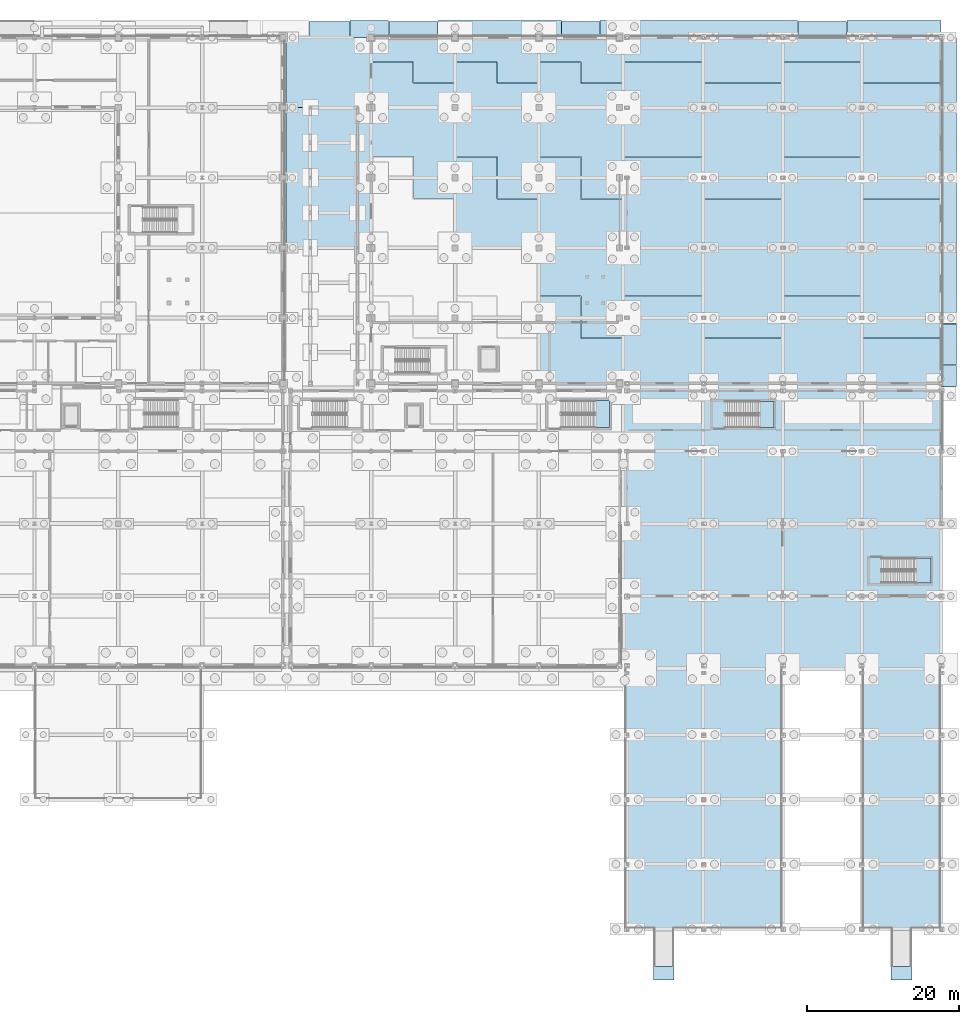
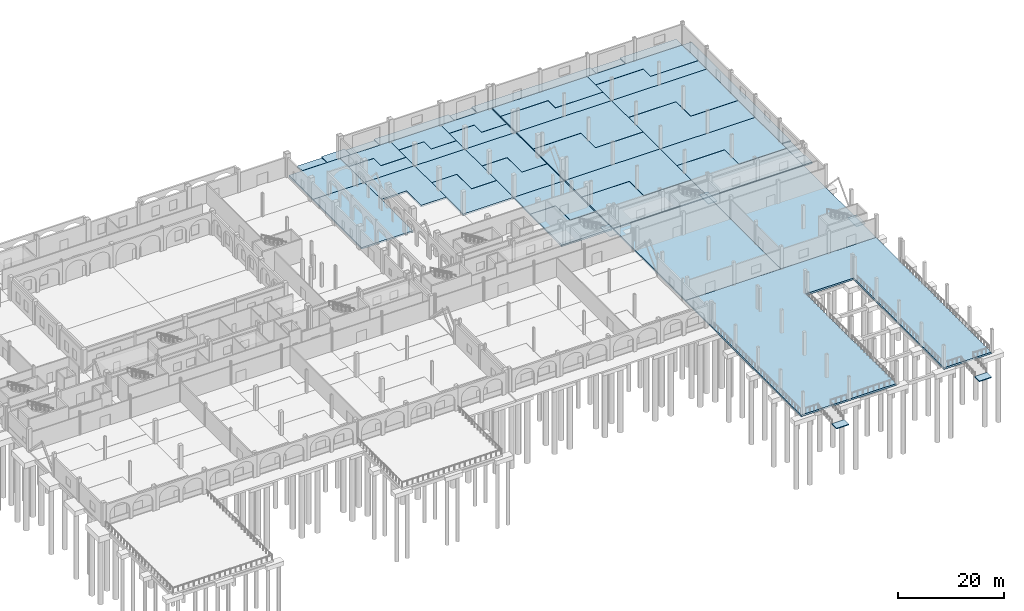
# One storey, part 38 of 83: 46 slabs, 3 elements without a shape of their own.
"""IFC4 building model written with IfcOpenShell, lengths in metres."""

from ifc_helpers import new_model, si_unit, direction, frame, origin, place, context, subcontext, project, spatial, polyline, outline, extrude, material, layer, layer_set, type_object, element, aggregate, save


model = new_model("IFC4")

# Units and contexts
model_context = context("Model", 3, precision=1e-05, world=origin(), true_north=direction((0.0, 1.0)))
body_context = subcontext(model_context, "Body", "Model", "MODEL_VIEW")
ifc_project = project(units=[si_unit("LENGTHUNIT", "METRE"), si_unit("AREAUNIT", "SQUARE_METRE"), si_unit("VOLUMEUNIT", "CUBIC_METRE"), si_unit("PLANEANGLEUNIT", "RADIAN"), si_unit("MASSUNIT", "GRAM", prefix="KILO")], contexts=[model_context])

# Site, building, storey
site_placement = place(None, origin())
site = spatial("IfcSite", under=ifc_project, at=site_placement, CompositionType="ELEMENT")
building_placement = place(site_placement, origin())
building = spatial("IfcBuilding", under=site, at=building_placement, Name="Caurita Quay Ferry Terminal", CompositionType="ELEMENT")
storey_placement = place(building_placement, origin())
storey = spatial("IfcBuildingStorey", under=building, at=storey_placement, Name="L00", CompositionType="ELEMENT", Elevation=0.0)

# Stair, slab
ifc_material_1 = material(Name="Reinforced concrete C35/45", Category="concrete")
stair_type_1 = type_object("IfcStairType", Name="STR-DL-10", PredefinedType="HALF_TURN_STAIR", material=ifc_material_1)
stair_1_placement = place(storey_placement, origin())
stair_1 = element("IfcStair", 1, at=stair_1_placement, inside=storey, type_object=stair_type_1, Name="L00 Protected Exit Stair ST-09", PredefinedType="HALF_TURN_STAIR")
ifc_layer_1 = layer(ifc_material_1, 0.199951171875, Name="Reinforced concrete landing slab 200 mm")
ifc_layer_set_1 = layer_set([ifc_layer_1], Name="Reinforced concrete C35/45")
slab_type_1 = type_object("IfcSlabType", Name="SLB-LND-200", PredefinedType="LANDING", material=ifc_layer_set_1)
slab_1_placement = place(storey_placement, frame((0.0, 0.0, 2.5)))
slab_1 = element("IfcSlab", 2, at=slab_1_placement, type_object=slab_type_1, Name="ST-09 landing 1", PredefinedType="LANDING", context=body_context, shape_type="SweptSolid", body=[
    extrude(outline(polyline([(128.60009765625, 65.800048828125), (130.449951171875, 65.800048828125), (130.449951171875, 69.360107421875), (128.60009765625, 69.360107421875), (128.60009765625, 65.800048828125)])), origin(), (0.0, 0.0, 1.0), 0.199951171875),
])
aggregate(stair_1, [slab_1])

stair_type_2 = type_object("IfcStairType", Name="STR-DL-01", PredefinedType="HALF_TURN_STAIR", material=ifc_material_1)
stair_2_placement = place(storey_placement, origin())
stair_2 = element("IfcStair", 3, at=stair_2_placement, inside=storey, type_object=stair_type_2, Name="L00 Protected Exit Stair ST-10", PredefinedType="HALF_TURN_STAIR")
slab_2_placement = place(storey_placement, frame((0.0, 0.0, 2.5)))
slab_2 = element("IfcSlab", 4, at=slab_2_placement, type_object=slab_type_1, Name="ST-10 landing 1", PredefinedType="LANDING", context=body_context, shape_type="SweptSolid", body=[
    extrude(outline(polyline([(150.14990234375, 65.800048828125), (152.050048828125, 65.800048828125), (152.050048828125, 69.260009765625), (150.14990234375, 69.260009765625), (150.14990234375, 65.800048828125)])), origin(), (0.0, 0.0, 1.0), 0.199951171875),
])
aggregate(stair_2, [slab_2])

stair_type_3 = type_object("IfcStairType", Name="STR-DL-12", PredefinedType="HALF_TURN_STAIR", material=ifc_material_1)
stair_3_placement = place(storey_placement, origin())
stair_3 = element("IfcStair", 5, at=stair_3_placement, inside=storey, type_object=stair_type_3, Name="L00 Protected Exit Stair ST-11", PredefinedType="HALF_TURN_STAIR")
slab_3_placement = place(storey_placement, frame((0.0, 0.0, 2.5)))
slab_3 = element("IfcSlab", 6, at=slab_3_placement, type_object=slab_type_1, Name="ST-11 landing 1", PredefinedType="LANDING", context=body_context, shape_type="SweptSolid", body=[
    extrude(outline(polyline([(170.64990234375, 45.39990234375), (172.64990234375, 45.39990234375), (172.64990234375, 48.659912109375), (170.64990234375, 48.659912109375), (170.64990234375, 45.39990234375)])), origin(), (0.0, 0.0, 1.0), 0.199951171875),
])
aggregate(stair_3, [slab_3])

# Slabs
slab_4_placement = place(storey_placement, frame((0.0, 0.0, -0.550048828125)))
element("IfcSlab", 7, at=slab_4_placement, inside=storey, type_object=slab_type_1, Name="Berth 1 Accessible Boarding Gangway Ramp Lower Threshold Landing", PredefinedType="LANDING", context=body_context, shape_type="SweptSolid", body=[
    extrude(outline(polyline([(136.25, -6.699951171875), (138.949951171875, -6.699951171875), (138.949951171875, -4.89990234375), (136.25, -4.89990234375), (136.25, -6.699951171875)])), origin(), (0.0, 0.0, 1.0), 0.199951171875),
])
slab_5_placement = place(storey_placement, frame((0.0, 0.0, -0.550048828125)))
element("IfcSlab", 8, at=slab_5_placement, inside=storey, type_object=slab_type_1, Name="Berth 2 Accessible Boarding Gangway Ramp Lower Threshold Landing", PredefinedType="LANDING", context=body_context, shape_type="SweptSolid", body=[
    extrude(outline(polyline([(167.449951171875, -6.699951171875), (170.14990234375, -6.699951171875), (170.14990234375, -4.89990234375), (167.449951171875, -4.89990234375), (167.449951171875, -6.699951171875)])), origin(), (0.0, 0.0, 1.0), 0.199951171875),
])
ifc_material_2 = material(Name="Marine reinforced concrete C40/50", Category="concrete")
ifc_layer_2 = layer(ifc_material_2, 0.340087890625, Name="Reinforced concrete baseslab slab 340 mm")
ifc_layer_set_2 = layer_set([ifc_layer_2], Name="Marine reinforced concrete C40/50")
slab_type_2 = type_object("IfcSlabType", Name="SLB-QUAY-340", PredefinedType="BASESLAB", material=ifc_layer_set_2)
slab_6_placement = place(storey_placement, frame((0.0, 0.0, -0.340087890625)))
element("IfcSlab", 9, at=slab_6_placement, inside=storey, type_object=slab_type_2, Name="L00 NTH-WLK4 Slab 01", PredefinedType="BASESLAB", context=body_context, shape_type="SweptSolid", body=[
    extrude(outline(polyline([(96.429931640625, 117.02001953125), (101.469970703125, 117.02001953125), (101.469970703125, 119.25), (96.429931640625, 119.25), (96.429931640625, 117.02001953125)])), origin(), (0.0, 0.0, 1.0), 0.340087890625),
])
slab_7_placement = place(storey_placement, frame((0.0, 0.0, -0.340087890625)))
element("IfcSlab", 10, at=slab_7_placement, inside=storey, type_object=slab_type_2, Name="L00 NTH-WLK5 Slab 01", PredefinedType="BASESLAB", context=body_context, shape_type="SweptSolid", body=[
    extrude(outline(polyline([(107.929931640625, 117.02001953125), (124.169921875, 117.02001953125), (124.169921875, 119.25), (107.929931640625, 119.25), (107.929931640625, 117.02001953125)])), origin(), (0.0, 0.0, 1.0), 0.340087890625),
])
slab_8_placement = place(storey_placement, frame((0.0, 0.0, -0.340087890625)))
element("IfcSlab", 11, at=slab_8_placement, inside=storey, type_object=slab_type_2, Name="L00 NTH-WLK6 Slab 01", PredefinedType="BASESLAB", context=body_context, shape_type="SweptSolid", body=[
    extrude(outline(polyline([(129.22998046875, 117.02001953125), (155.169921875, 117.02001953125), (155.169921875, 119.25), (129.22998046875, 119.25), (129.22998046875, 117.02001953125)])), origin(), (0.0, 0.0, 1.0), 0.340087890625),
])
slab_9_placement = place(storey_placement, frame((0.0, 0.0, -0.340087890625)))
element("IfcSlab", 12, at=slab_9_placement, inside=storey, type_object=slab_type_2, Name="L00 NTH-WLK7 Slab 01", PredefinedType="BASESLAB", context=body_context, shape_type="SweptSolid", body=[
    extrude(outline(polyline([(161.6298828125, 117.02001953125), (174.0, 117.02001953125), (174.0, 119.25), (161.6298828125, 119.25), (161.6298828125, 117.02001953125)])), origin(), (0.0, 0.0, 1.0), 0.340087890625),
])
slab_10_placement = place(storey_placement, frame((0.0, 0.0, -0.340087890625)))
element("IfcSlab", 13, at=slab_10_placement, inside=storey, type_object=slab_type_2, Name="L00 EST-WLK1 Slab 01", PredefinedType="BASESLAB", context=body_context, shape_type="SweptSolid", body=[
    extrude(outline(polyline([(174.0, 71.199951171875), (176.0, 71.199951171875), (176.0, 73.969970703125), (174.0, 73.969970703125), (174.0, 71.199951171875)])), origin(), (0.0, 0.0, 1.0), 0.340087890625),
])
slab_11_placement = place(storey_placement, frame((0.0, 0.0, -0.340087890625)))
element("IfcSlab", 14, at=slab_11_placement, inside=storey, type_object=slab_type_2, Name="L00 EST-WLK2 Slab 01", PredefinedType="BASESLAB", context=body_context, shape_type="SweptSolid", body=[
    extrude(outline(polyline([(174.0, 79.429931640625), (176.0, 79.429931640625), (176.0, 117.0), (174.0, 117.0), (174.0, 79.429931640625)])), origin(), (0.0, 0.0, 1.0), 0.340087890625),
])
ifc_layer_3 = layer(ifc_material_2, 0.39990234375, Name="Reinforced concrete baseslab slab 400 mm")
ifc_layer_set_3 = layer_set([ifc_layer_3], Name="Marine reinforced concrete C40/50")
slab_type_3 = type_object("IfcSlabType", Name="SLB-QUAY-400", PredefinedType="BASESLAB", material=ifc_layer_set_3)
slab_12_placement = place(storey_placement, frame((0.0, 0.0, -0.39990234375)))
element("IfcSlab", 15, at=slab_12_placement, inside=storey, type_object=slab_type_3, Name="L00 V3-BASE Slab 01", PredefinedType="BASESLAB", context=body_context, shape_type="SweptSolid", body=[
    extrude(outline(polyline([(132.39990234375, 43.699951171875), (153.199951171875, 43.699951171875), (153.199951171875, 71.0), (132.39990234375, 71.0), (132.39990234375, 43.699951171875)])), origin(), (0.0, 0.0, 1.0), 0.39990234375),
])
slab_13_placement = place(storey_placement, frame((0.0, 0.0, -0.39990234375)))
element("IfcSlab", 16, at=slab_13_placement, inside=storey, type_object=slab_type_3, Name="L00 V3-BASE Slab 02", PredefinedType="BASESLAB", context=body_context, shape_type="SweptSolid", body=[
    extrude(outline(polyline([(153.199951171875, 43.699951171875), (174.0, 43.699951171875), (174.0, 71.0), (153.199951171875, 71.0), (153.199951171875, 43.699951171875)])), origin(), (0.0, 0.0, 1.0), 0.39990234375),
])
slab_14_placement = place(storey_placement, frame((0.0, 0.0, -0.39990234375)))
element("IfcSlab", 17, at=slab_14_placement, inside=storey, type_object=slab_type_3, Name="Marine Berths 1 and 2 Quay Pier Deck", PredefinedType="BASESLAB", context=body_context, shape_type="SweptSolid", body=[
    extrude(outline(polyline([(132.39990234375, 0.0), (153.199951171875, 0.0), (153.199951171875, 34.199951171875), (163.60009765625, 34.199951171875), (163.60009765625, 0.0), (174.0, 0.0), (174.0, 43.679931640625), (132.39990234375, 43.679931640625), (132.39990234375, 0.0)])), origin(), (0.0, 0.0, 1.0), 0.39990234375),
])
slab_15_placement = place(storey_placement, frame((0.0, 0.0, -0.39990234375)))
element("IfcSlab", 18, at=slab_15_placement, inside=storey, type_object=slab_type_3, Name="L00 V4W-BASE Slab 02B", PredefinedType="BASESLAB", context=body_context, shape_type="SweptSolid", body=[
    extrude(outline(polyline([(104.715087890625, 95.85498046875), (110.199951171875, 95.85498046875), (110.199951171875, 107.800048828125), (99.199951171875, 107.800048828125), (99.199951171875, 101.375), (104.715087890625, 101.375), (104.715087890625, 95.85498046875)])), origin(), (0.0, 0.0, 1.0), 0.39990234375),
])
slab_16_placement = place(storey_placement, frame((0.0, 0.0, -0.39990234375)))
element("IfcSlab", 19, at=slab_16_placement, inside=storey, type_object=slab_type_3, Name="L00 V4W-BASE Slab 03A", PredefinedType="BASESLAB", context=body_context, shape_type="SweptSolid", body=[
    extrude(outline(polyline([(99.199951171875, 107.800048828125), (110.199951171875, 107.800048828125), (110.199951171875, 111.0048828125), (104.68505859375, 111.0048828125), (104.68505859375, 113.764892578125), (99.199951171875, 113.764892578125), (99.199951171875, 107.800048828125)])), origin(), (0.0, 0.0, 1.0), 0.39990234375),
])
slab_17_placement = place(storey_placement, frame((0.0, 0.0, -0.39990234375)))
element("IfcSlab", 20, at=slab_17_placement, inside=storey, type_object=slab_type_3, Name="L00 V4W-BASE Slab 03B", PredefinedType="BASESLAB", context=body_context, shape_type="SweptSolid", body=[
    extrude(outline(polyline([(104.715087890625, 111.034912109375), (110.199951171875, 111.034912109375), (110.199951171875, 117.0), (99.199951171875, 117.0), (99.199951171875, 113.794921875), (104.715087890625, 113.794921875), (104.715087890625, 111.034912109375)])), origin(), (0.0, 0.0, 1.0), 0.39990234375),
])
slab_18_placement = place(storey_placement, frame((0.0, 0.0, -0.39990234375)))
element("IfcSlab", 21, at=slab_18_placement, inside=storey, type_object=slab_type_3, Name="L00 V4W-BASE Slab 05A", PredefinedType="BASESLAB", context=body_context, shape_type="SweptSolid", body=[
    extrude(outline(polyline([(110.199951171875, 89.39990234375), (121.199951171875, 89.39990234375), (121.199951171875, 95.824951171875), (115.68505859375, 95.824951171875), (115.68505859375, 101.344970703125), (110.199951171875, 101.344970703125), (110.199951171875, 89.39990234375)])), origin(), (0.0, 0.0, 1.0), 0.39990234375),
])
slab_19_placement = place(storey_placement, frame((0.0, 0.0, -0.39990234375)))
element("IfcSlab", 22, at=slab_19_placement, inside=storey, type_object=slab_type_3, Name="L00 V4W-BASE Slab 05B", PredefinedType="BASESLAB", context=body_context, shape_type="SweptSolid", body=[
    extrude(outline(polyline([(115.715087890625, 95.85498046875), (121.199951171875, 95.85498046875), (121.199951171875, 107.800048828125), (110.199951171875, 107.800048828125), (110.199951171875, 101.375), (115.715087890625, 101.375), (115.715087890625, 95.85498046875)])), origin(), (0.0, 0.0, 1.0), 0.39990234375),
])
slab_20_placement = place(storey_placement, frame((0.0, 0.0, -0.39990234375)))
element("IfcSlab", 23, at=slab_20_placement, inside=storey, type_object=slab_type_3, Name="L00 V4W-BASE Slab 06A", PredefinedType="BASESLAB", context=body_context, shape_type="SweptSolid", body=[
    extrude(outline(polyline([(110.199951171875, 107.800048828125), (121.199951171875, 107.800048828125), (121.199951171875, 111.0048828125), (115.68505859375, 111.0048828125), (115.68505859375, 113.764892578125), (110.199951171875, 113.764892578125), (110.199951171875, 107.800048828125)])), origin(), (0.0, 0.0, 1.0), 0.39990234375),
])
slab_21_placement = place(storey_placement, frame((0.0, 0.0, -0.39990234375)))
element("IfcSlab", 24, at=slab_21_placement, inside=storey, type_object=slab_type_3, Name="L00 V4W-BASE Slab 06B", PredefinedType="BASESLAB", context=body_context, shape_type="SweptSolid", body=[
    extrude(outline(polyline([(115.715087890625, 111.034912109375), (121.199951171875, 111.034912109375), (121.199951171875, 117.0), (110.199951171875, 117.0), (110.199951171875, 113.794921875), (115.715087890625, 113.794921875), (115.715087890625, 111.034912109375)])), origin(), (0.0, 0.0, 1.0), 0.39990234375),
])
slab_22_placement = place(storey_placement, frame((0.0, 0.0, -0.39990234375)))
element("IfcSlab", 25, at=slab_22_placement, inside=storey, type_object=slab_type_3, Name="L00 V4W-BASE Slab 07A", PredefinedType="BASESLAB", context=body_context, shape_type="SweptSolid", body=[
    extrude(outline(polyline([(121.199951171875, 71.199951171875), (132.199951171875, 71.199951171875), (132.199951171875, 77.554931640625), (126.68505859375, 77.554931640625), (126.68505859375, 83.014892578125), (121.199951171875, 83.014892578125), (121.199951171875, 71.199951171875)])), origin(), (0.0, 0.0, 1.0), 0.39990234375),
])
slab_23_placement = place(storey_placement, frame((0.0, 0.0, -0.39990234375)))
element("IfcSlab", 26, at=slab_23_placement, inside=storey, type_object=slab_type_3, Name="L00 V4W-BASE Slab 07B", PredefinedType="BASESLAB", context=body_context, shape_type="SweptSolid", body=[
    extrude(outline(polyline([(126.715087890625, 77.5849609375), (132.199951171875, 77.5849609375), (132.199951171875, 89.39990234375), (121.199951171875, 89.39990234375), (121.199951171875, 83.044921875), (126.715087890625, 83.044921875), (126.715087890625, 77.5849609375)])), origin(), (0.0, 0.0, 1.0), 0.39990234375),
])
slab_24_placement = place(storey_placement, frame((0.0, 0.0, -0.39990234375)))
element("IfcSlab", 27, at=slab_24_placement, inside=storey, type_object=slab_type_3, Name="L00 V4W-BASE Slab 08A", PredefinedType="BASESLAB", context=body_context, shape_type="SweptSolid", body=[
    extrude(outline(polyline([(121.199951171875, 89.39990234375), (132.199951171875, 89.39990234375), (132.199951171875, 95.824951171875), (126.68505859375, 95.824951171875), (126.68505859375, 101.344970703125), (121.199951171875, 101.344970703125), (121.199951171875, 89.39990234375)])), origin(), (0.0, 0.0, 1.0), 0.39990234375),
])
slab_25_placement = place(storey_placement, frame((0.0, 0.0, -0.39990234375)))
element("IfcSlab", 28, at=slab_25_placement, inside=storey, type_object=slab_type_3, Name="L00 V4W-BASE Slab 08B", PredefinedType="BASESLAB", context=body_context, shape_type="SweptSolid", body=[
    extrude(outline(polyline([(126.715087890625, 95.85498046875), (132.199951171875, 95.85498046875), (132.199951171875, 107.800048828125), (121.199951171875, 107.800048828125), (121.199951171875, 101.375), (126.715087890625, 101.375), (126.715087890625, 95.85498046875)])), origin(), (0.0, 0.0, 1.0), 0.39990234375),
])
slab_26_placement = place(storey_placement, frame((0.0, 0.0, -0.39990234375)))
element("IfcSlab", 29, at=slab_26_placement, inside=storey, type_object=slab_type_3, Name="L00 V4W-BASE Slab 09A", PredefinedType="BASESLAB", context=body_context, shape_type="SweptSolid", body=[
    extrude(outline(polyline([(121.199951171875, 107.800048828125), (132.199951171875, 107.800048828125), (132.199951171875, 111.0048828125), (126.68505859375, 111.0048828125), (126.68505859375, 113.764892578125), (121.199951171875, 113.764892578125), (121.199951171875, 107.800048828125)])), origin(), (0.0, 0.0, 1.0), 0.39990234375),
])
slab_27_placement = place(storey_placement, frame((0.0, 0.0, -0.39990234375)))
element("IfcSlab", 30, at=slab_27_placement, inside=storey, type_object=slab_type_3, Name="L00 V4W-BASE Slab 09B", PredefinedType="BASESLAB", context=body_context, shape_type="SweptSolid", body=[
    extrude(outline(polyline([(126.715087890625, 111.034912109375), (132.199951171875, 111.034912109375), (132.199951171875, 117.0), (121.199951171875, 117.0), (121.199951171875, 113.794921875), (126.715087890625, 113.794921875), (126.715087890625, 111.034912109375)])), origin(), (0.0, 0.0, 1.0), 0.39990234375),
])
slab_28_placement = place(storey_placement, frame((0.0, 0.0, -0.39990234375)))
element("IfcSlab", 31, at=slab_28_placement, inside=storey, type_object=slab_type_3, Name="L00 V4E-BASE Slab 01A", PredefinedType="BASESLAB", context=body_context, shape_type="SweptSolid", body=[
    extrude(outline(polyline([(132.39990234375, 71.199951171875), (153.199951171875, 71.199951171875), (153.199951171875, 77.554931640625), (142.784912109375, 77.554931640625), (142.784912109375, 83.014892578125), (132.39990234375, 83.014892578125), (132.39990234375, 71.199951171875)])), origin(), (0.0, 0.0, 1.0), 0.39990234375),
])
slab_29_placement = place(storey_placement, frame((0.0, 0.0, -0.39990234375)))
element("IfcSlab", 32, at=slab_29_placement, inside=storey, type_object=slab_type_3, Name="L00 V4E-BASE Slab 01B", PredefinedType="BASESLAB", context=body_context, shape_type="SweptSolid", body=[
    extrude(outline(polyline([(142.81494140625, 77.5849609375), (153.199951171875, 77.5849609375), (153.199951171875, 89.39990234375), (132.39990234375, 89.39990234375), (132.39990234375, 83.044921875), (142.81494140625, 83.044921875), (142.81494140625, 77.5849609375)])), origin(), (0.0, 0.0, 1.0), 0.39990234375),
])
slab_30_placement = place(storey_placement, frame((0.0, 0.0, -0.39990234375)))
element("IfcSlab", 33, at=slab_30_placement, inside=storey, type_object=slab_type_3, Name="L00 V4E-BASE Slab 02A", PredefinedType="BASESLAB", context=body_context, shape_type="SweptSolid", body=[
    extrude(outline(polyline([(132.39990234375, 89.39990234375), (153.199951171875, 89.39990234375), (153.199951171875, 95.824951171875), (142.784912109375, 95.824951171875), (142.784912109375, 101.344970703125), (132.39990234375, 101.344970703125), (132.39990234375, 89.39990234375)])), origin(), (0.0, 0.0, 1.0), 0.39990234375),
])
slab_31_placement = place(storey_placement, frame((0.0, 0.0, -0.39990234375)))
element("IfcSlab", 34, at=slab_31_placement, inside=storey, type_object=slab_type_3, Name="L00 V4E-BASE Slab 02B", PredefinedType="BASESLAB", context=body_context, shape_type="SweptSolid", body=[
    extrude(outline(polyline([(142.81494140625, 95.85498046875), (153.199951171875, 95.85498046875), (153.199951171875, 107.800048828125), (132.39990234375, 107.800048828125), (132.39990234375, 101.375), (142.81494140625, 101.375), (142.81494140625, 95.85498046875)])), origin(), (0.0, 0.0, 1.0), 0.39990234375),
])
slab_32_placement = place(storey_placement, frame((0.0, 0.0, -0.39990234375)))
element("IfcSlab", 35, at=slab_32_placement, inside=storey, type_object=slab_type_3, Name="L00 V4E-BASE Slab 03A", PredefinedType="BASESLAB", context=body_context, shape_type="SweptSolid", body=[
    extrude(outline(polyline([(132.39990234375, 107.800048828125), (153.199951171875, 107.800048828125), (153.199951171875, 111.0048828125), (142.784912109375, 111.0048828125), (142.784912109375, 113.764892578125), (132.39990234375, 113.764892578125), (132.39990234375, 107.800048828125)])), origin(), (0.0, 0.0, 1.0), 0.39990234375),
])
slab_33_placement = place(storey_placement, frame((0.0, 0.0, -0.39990234375)))
element("IfcSlab", 36, at=slab_33_placement, inside=storey, type_object=slab_type_3, Name="L00 V4E-BASE Slab 03B", PredefinedType="BASESLAB", context=body_context, shape_type="SweptSolid", body=[
    extrude(outline(polyline([(142.81494140625, 111.034912109375), (153.199951171875, 111.034912109375), (153.199951171875, 117.0), (132.39990234375, 117.0), (132.39990234375, 113.794921875), (142.81494140625, 113.794921875), (142.81494140625, 111.034912109375)])), origin(), (0.0, 0.0, 1.0), 0.39990234375),
])
slab_34_placement = place(storey_placement, frame((0.0, 0.0, -0.39990234375)))
element("IfcSlab", 37, at=slab_34_placement, inside=storey, type_object=slab_type_3, Name="L00 V4E-BASE Slab 04A", PredefinedType="BASESLAB", context=body_context, shape_type="SweptSolid", body=[
    extrude(outline(polyline([(153.199951171875, 71.199951171875), (174.0, 71.199951171875), (174.0, 77.554931640625), (163.5849609375, 77.554931640625), (163.5849609375, 83.014892578125), (153.199951171875, 83.014892578125), (153.199951171875, 71.199951171875)])), origin(), (0.0, 0.0, 1.0), 0.39990234375),
])
slab_35_placement = place(storey_placement, frame((0.0, 0.0, -0.39990234375)))
element("IfcSlab", 38, at=slab_35_placement, inside=storey, type_object=slab_type_3, Name="L00 V4E-BASE Slab 04B", PredefinedType="BASESLAB", context=body_context, shape_type="SweptSolid", body=[
    extrude(outline(polyline([(163.614990234375, 77.5849609375), (174.0, 77.5849609375), (174.0, 89.39990234375), (153.199951171875, 89.39990234375), (153.199951171875, 83.044921875), (163.614990234375, 83.044921875), (163.614990234375, 77.5849609375)])), origin(), (0.0, 0.0, 1.0), 0.39990234375),
])
slab_36_placement = place(storey_placement, frame((0.0, 0.0, -0.39990234375)))
element("IfcSlab", 39, at=slab_36_placement, inside=storey, type_object=slab_type_3, Name="L00 V4E-BASE Slab 05A", PredefinedType="BASESLAB", context=body_context, shape_type="SweptSolid", body=[
    extrude(outline(polyline([(153.199951171875, 89.39990234375), (174.0, 89.39990234375), (174.0, 95.824951171875), (163.5849609375, 95.824951171875), (163.5849609375, 101.344970703125), (153.199951171875, 101.344970703125), (153.199951171875, 89.39990234375)])), origin(), (0.0, 0.0, 1.0), 0.39990234375),
])
slab_37_placement = place(storey_placement, frame((0.0, 0.0, -0.39990234375)))
element("IfcSlab", 40, at=slab_37_placement, inside=storey, type_object=slab_type_3, Name="L00 V4E-BASE Slab 05B", PredefinedType="BASESLAB", context=body_context, shape_type="SweptSolid", body=[
    extrude(outline(polyline([(163.614990234375, 95.85498046875), (174.0, 95.85498046875), (174.0, 107.800048828125), (153.199951171875, 107.800048828125), (153.199951171875, 101.375), (163.614990234375, 101.375), (163.614990234375, 95.85498046875)])), origin(), (0.0, 0.0, 1.0), 0.39990234375),
])
slab_38_placement = place(storey_placement, frame((0.0, 0.0, -0.39990234375)))
element("IfcSlab", 41, at=slab_38_placement, inside=storey, type_object=slab_type_3, Name="L00 V4E-BASE Slab 06A", PredefinedType="BASESLAB", context=body_context, shape_type="SweptSolid", body=[
    extrude(outline(polyline([(153.199951171875, 107.800048828125), (174.0, 107.800048828125), (174.0, 111.0048828125), (163.5849609375, 111.0048828125), (163.5849609375, 113.764892578125), (153.199951171875, 113.764892578125), (153.199951171875, 107.800048828125)])), origin(), (0.0, 0.0, 1.0), 0.39990234375),
])
slab_39_placement = place(storey_placement, frame((0.0, 0.0, -0.39990234375)))
element("IfcSlab", 42, at=slab_39_placement, inside=storey, type_object=slab_type_3, Name="L00 V4E-BASE Slab 06B", PredefinedType="BASESLAB", context=body_context, shape_type="SweptSolid", body=[
    extrude(outline(polyline([(163.614990234375, 111.034912109375), (174.0, 111.034912109375), (174.0, 117.0), (153.199951171875, 117.0), (153.199951171875, 113.794921875), (163.614990234375, 113.794921875), (163.614990234375, 111.034912109375)])), origin(), (0.0, 0.0, 1.0), 0.39990234375),
])
ifc_layer_4 = layer(ifc_material_2, 0.239990234375, Name="Reinforced concrete userdefined slab 240 mm")
ifc_layer_set_4 = layer_set([ifc_layer_4], Name="Marine reinforced concrete C40/50")
slab_type_4 = type_object("IfcSlabType", Name="SLB-RMP-240", PredefinedType="USERDEFINED", material=ifc_layer_set_4)
slab_40_placement = place(storey_placement, frame((101.5, 117.02001953125, 0.0), z_axis=(0.0, 0.105164763538, 0.994454811698), x_axis=(1.0, 0.0, 0.0)))
element("IfcSlab", 43, at=slab_40_placement, inside=storey, type_object=slab_type_4, Name="Ro-Ro Vehicle Threshold Ramp Slab 1", ObjectType="RAMP", PredefinedType="USERDEFINED", context=body_context, shape_type="SweptSolid", body=[
    extrude(outline(polyline([(0.0, 0.0), (6.39990234375, 0.0), (6.39990234375, 2.0916768670941557), (0.0, 2.0916768670941557), (0.0, 0.0)])), origin(), (0.0, 0.0, -1.0), 0.239990234375),
])
slab_41_placement = place(storey_placement, frame((155.199951171875, 117.02001953125, 0.0), z_axis=(0.0, 0.105164763538, 0.994454811698), x_axis=(1.0, 0.0, 0.0)))
element("IfcSlab", 44, at=slab_41_placement, inside=storey, type_object=slab_type_4, Name="Ro-Ro Vehicle Threshold Ramp Slab 2", ObjectType="RAMP", PredefinedType="USERDEFINED", context=body_context, shape_type="SweptSolid", body=[
    extrude(outline(polyline([(0.0, 0.0), (6.400146484375, 0.0), (6.400146484375, 2.0916768670941557), (0.0, 2.0916768670941557), (0.0, 0.0)])), origin(), (0.0, 0.0, -1.0), 0.239990234375),
])
slab_42_placement = place(storey_placement, frame((124.199951171875, 117.02001953125, 0.0), z_axis=(0.0, 0.105164763538, 0.994454811698), x_axis=(1.0, 0.0, 0.0)))
element("IfcSlab", 45, at=slab_42_placement, inside=storey, type_object=slab_type_4, Name="Ro-Ro Vehicle Threshold Ramp Slab 3", ObjectType="RAMP", PredefinedType="USERDEFINED", context=body_context, shape_type="SweptSolid", body=[
    extrude(outline(polyline([(0.0, 0.0), (5.0, 0.0), (5.0, 2.0916768670941557), (0.0, 2.0916768670941557), (0.0, 0.0)])), origin(), (0.0, 0.0, -1.0), 0.239990234375),
])
slab_43_placement = place(storey_placement, frame((174.02001953125, 74.0, 0.0), z_axis=(0.110418075391, 0.0, 0.993885229102), x_axis=(0.993885229102, 0.0, -0.110418075391)))
element("IfcSlab", 46, at=slab_43_placement, inside=storey, type_object=slab_type_4, Name="Ro-Ro Vehicle Threshold Ramp Slab 4", ObjectType="RAMP", PredefinedType="USERDEFINED", context=body_context, shape_type="SweptSolid", body=[
    extrude(outline(polyline([(0.0, 0.0), (1.9921620834823597, 0.0), (1.9921620834823597, 5.39990234375), (0.0, 5.39990234375), (0.0, 0.0)])), origin(), (0.0, 0.0, -1.0), 0.239990234375),
])
slab_44_placement = place(storey_placement, frame((91.0, 117.02001953125, 0.0), z_axis=(0.0, 0.105164763538, 0.994454811698), x_axis=(1.0, 0.0, 0.0)))
element("IfcSlab", 47, at=slab_44_placement, inside=storey, type_object=slab_type_4, Name="Ro-Ro Vehicle Threshold Ramp Slab 5", ObjectType="RAMP", PredefinedType="USERDEFINED", context=body_context, shape_type="SweptSolid", body=[
    extrude(outline(polyline([(0.0, 0.0), (5.39990234375, 0.0), (5.39990234375, 2.0916768670941557), (0.0, 2.0916768670941557), (0.0, 0.0)])), origin(), (0.0, 0.0, -1.0), 0.239990234375),
])
ifc_layer_5 = layer(ifc_material_2, 0.360107421875, Name="Reinforced concrete baseslab slab 360 mm")
ifc_layer_set_5 = layer_set([ifc_layer_5], Name="Marine reinforced concrete C40/50")
slab_type_5 = type_object("IfcSlabType", Name="SLB-RORO-360", PredefinedType="BASESLAB", material=ifc_layer_set_5)
slab_45_placement = place(storey_placement, frame((0.0, 0.0, -0.360107421875)))
element("IfcSlab", 48, at=slab_45_placement, inside=storey, type_object=slab_type_5, Name="L00 V6-PLZA Slab 02", PredefinedType="BASESLAB", context=body_context, shape_type="SweptSolid", body=[
    extrude(outline(polyline([(88.0, 89.39990234375), (99.199951171875, 89.39990234375), (99.199951171875, 107.800048828125), (88.0, 107.800048828125), (88.0, 89.39990234375)])), origin(), (0.0, 0.0, 1.0), 0.360107421875),
])
slab_46_placement = place(storey_placement, frame((0.0, 0.0, -0.360107421875)))
element("IfcSlab", 49, at=slab_46_placement, inside=storey, type_object=slab_type_5, Name="L00 V6-PLZA Slab 03", PredefinedType="BASESLAB", context=body_context, shape_type="SweptSolid", body=[
    extrude(outline(polyline([(88.0, 107.800048828125), (99.199951171875, 107.800048828125), (99.199951171875, 117.0), (88.0, 117.0), (88.0, 107.800048828125)])), origin(), (0.0, 0.0, 1.0), 0.360107421875),
])

save(model, "model.ifc")
